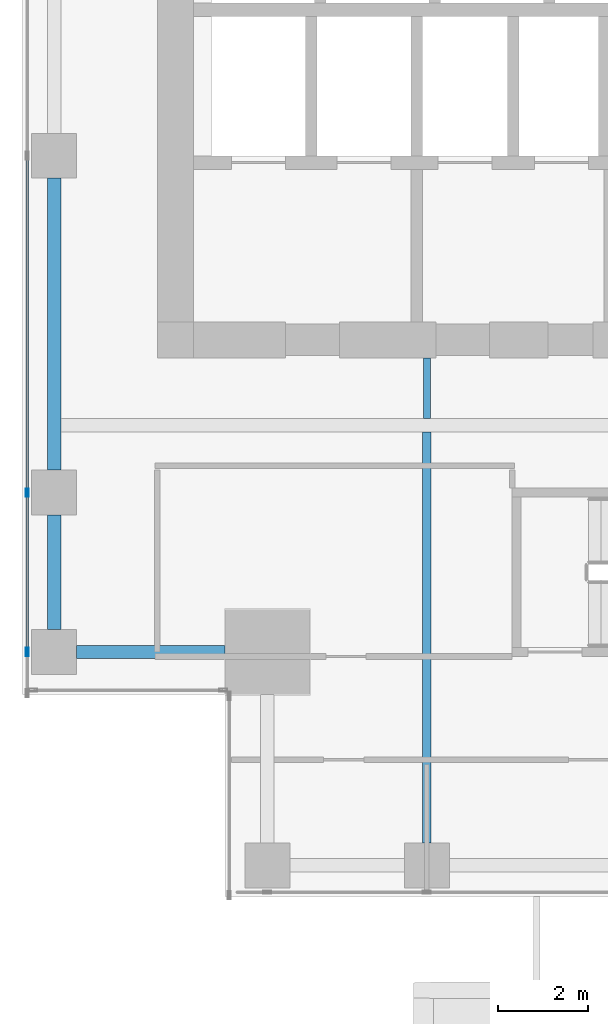
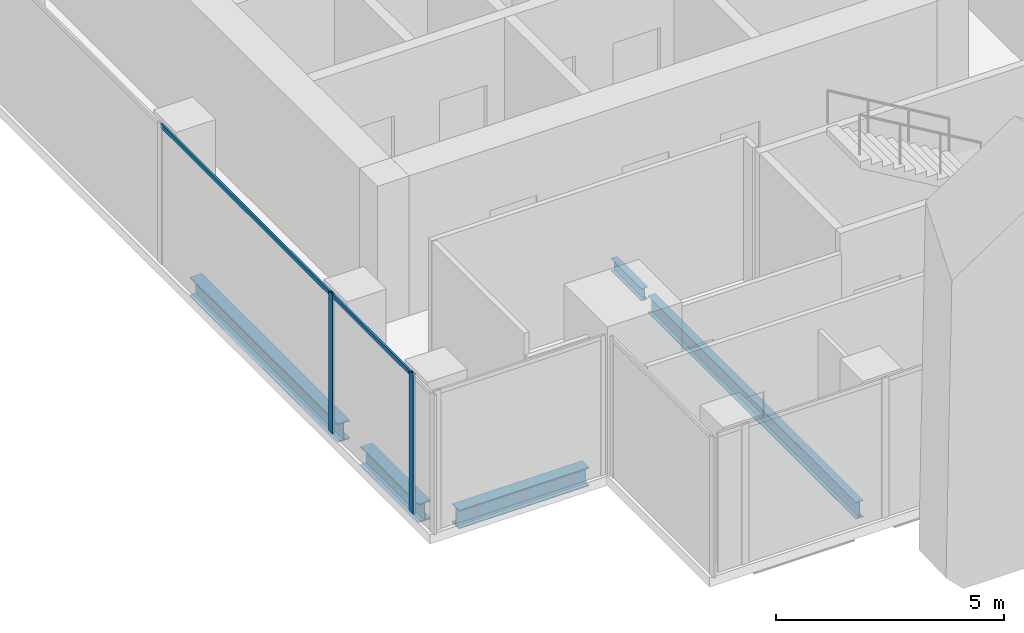
# One storey, part 4 of 38: 5 beams, 4 members, 1 element without a shape of its own.
"""IFC4 building model written with IfcOpenShell, lengths in metres."""

import ifcopenshell
import ifcopenshell.guid

model = None  # the IFC model being written
_history = None  # IfcOwnerHistory: only IFC2X3 demands one
_inside = {}  # id of a spatial element -> (the spatial element, [elements in it])
_under = {}  # id of a project, library or spatial element -> (it, [spatial elements below it])
_declared = {}  # id of a project -> (the project, [libraries it declares])
_typed = {}  # id of a type object -> (the type object, [elements of that type])
_made_of = {}  # id of a material, layer set ... -> (it, [elements and type objects made of it])


def new_model(schema):
    """Start an empty IFC model of exactly this schema.

    Asked for "IFC4X3", IfcOpenShell would pick the latest addendum, in which some entities
    have other attributes; the version numbers below select the first issue.
    IFC2X3 requires an IfcOwnerHistory on every rooted entity: one is made here for all.
    """
    global model, _history
    if schema == "IFC4X3":
        model = ifcopenshell.file(schema_version=(4, 3, 0, 0))
    else:
        model = ifcopenshell.file(schema=schema)
    _inside.clear()
    _under.clear()
    _declared.clear()
    _typed.clear()
    _made_of.clear()
    _history = None
    if model.schema == "IFC2X3":
        org = make("IfcOrganization", Name="unknown")
        user = make(
            "IfcPersonAndOrganization",
            ThePerson=make("IfcPerson", FamilyName="unknown"),
            TheOrganization=org,
        )
        app = make(
            "IfcApplication",
            ApplicationDeveloper=org,
            Version="unknown",
            ApplicationFullName="unknown",
            ApplicationIdentifier="unknown",
        )
        _history = make(
            "IfcOwnerHistory",
            OwningUser=user,
            OwningApplication=app,
            ChangeAction="ADDED",
            CreationDate=0,
        )
    return model


def make(cls, **values):
    """One entity of the class cls with the attributes given. An attribute that is None is left unset."""
    return model.create_entity(
        cls, **{name: value for name, value in values.items() if value is not None}
    )


def rooted(cls, **values):
    """An entity with a GlobalId (a new one), such as an element, a storey or a relation."""
    return make(cls, GlobalId=ifcopenshell.guid.new(), OwnerHistory=_history, **values)


def si_unit(unit_type, name, prefix=None):
    """IfcSIUnit, for example si_unit("LENGTHUNIT", "METRE", prefix="MILLI")."""
    return make("IfcSIUnit", UnitType=unit_type, Prefix=prefix, Name=name)


def assignment(units):
    """IfcUnitAssignment: the units of a project."""
    return None if units is None else make("IfcUnitAssignment", Units=units)


def point(xyz):
    """IfcCartesianPoint."""
    return None if xyz is None else make("IfcCartesianPoint", Coordinates=xyz)


def direction(xyz):
    """IfcDirection."""
    return None if xyz is None else make("IfcDirection", DirectionRatios=xyz)


def frame(location, z_axis=None, x_axis=None):
    """IfcAxis2Placement3D, a coordinate frame: its origin and axes. An axis left out is left unset."""
    return make(
        "IfcAxis2Placement3D",
        Location=point(location),
        Axis=direction(z_axis),
        RefDirection=direction(x_axis),
    )


def frame_2d(location, x_axis=None):
    """IfcAxis2Placement2D, a coordinate frame in the plane: its origin and x axis."""
    return make(
        "IfcAxis2Placement2D", Location=point(location), RefDirection=direction(x_axis)
    )


def origin():
    """The frame at (0, 0, 0) with its axes left unset."""
    return frame((0.0, 0.0, 0.0))


def origin_2d():
    """The frame at (0, 0) in the plane with its x axis left unset."""
    return frame_2d((0.0, 0.0))


def place(relative_to, where):
    """IfcLocalPlacement: puts the frame where relative to a parent placement (None: the world)."""
    return make(
        "IfcLocalPlacement", PlacementRelTo=relative_to, RelativePlacement=where
    )


def context(
    kind, dimensions, precision=None, world=None, true_north=None, identifier=None
):
    """IfcGeometricRepresentationContext, for example the 3D "Model" context."""
    return make(
        "IfcGeometricRepresentationContext",
        ContextIdentifier=identifier,
        ContextType=kind,
        CoordinateSpaceDimension=dimensions,
        Precision=precision,
        WorldCoordinateSystem=world,
        TrueNorth=true_north,
    )


def subcontext(parent, identifier, kind, view, scale=None):
    """IfcGeometricRepresentationSubContext, for example "Body" below "Model"."""
    return make(
        "IfcGeometricRepresentationSubContext",
        ContextIdentifier=identifier,
        ContextType=kind,
        ParentContext=parent,
        TargetScale=scale,
        TargetView=view,
    )


def project(units=None, contexts=None):
    """IfcProject with its units and contexts."""
    return rooted(
        "IfcProject",
        Name="project",
        RepresentationContexts=contexts,
        UnitsInContext=assignment(units),
    )


def spatial(cls, under=None, at=None, **own):
    """A site, building, storey or space (cls), placed at a placement, below another one or the project."""
    s = rooted(cls, ObjectPlacement=at, **own)
    if under is not None:
        _under.setdefault(under.id(), (under, []))[1].append(s)
    return s


def profile(cls, at=None, kind="AREA", **sizes):
    """A parametric profile (cls). Its sizes go by their IFC names, for example OverallWidth=200.0."""
    return make(cls, ProfileType=kind, Position=at, **sizes)


def hollow_rectangle(**sizes):
    """IfcRectangleHollowProfileDef."""
    return profile("IfcRectangleHollowProfileDef", **sizes)


def i_section(**sizes):
    """IfcIShapeProfileDef."""
    return profile("IfcIShapeProfileDef", **sizes)


def extrude(swept, where, along, depth):
    """IfcExtrudedAreaSolid: the profile swept, set in the frame where, extruded along a direction by depth."""
    return make(
        "IfcExtrudedAreaSolid",
        SweptArea=swept,
        Position=where,
        ExtrudedDirection=direction(along),
        Depth=depth,
    )


def shape(context_of_items, identifier, shape_type, items):
    """IfcShapeRepresentation: the items that make up one representation, for example the "Body"."""
    return make(
        "IfcShapeRepresentation",
        ContextOfItems=context_of_items,
        RepresentationIdentifier=identifier,
        RepresentationType=shape_type,
        Items=items,
    )


def source(mapping_origin, context_of_items, identifier, shape_type, items):
    """IfcRepresentationMap: a shape defined once, which mapped items show again and again."""
    return make(
        "IfcRepresentationMap",
        MappingOrigin=mapping_origin,
        MappedRepresentation=shape(context_of_items, identifier, shape_type, items),
    )


def transform(
    local_origin,
    x_axis=None,
    y_axis=None,
    z_axis=None,
    scale=None,
    scale2=None,
    scale3=None,
    uniform=True,
):
    """IfcCartesianTransformationOperator3D, or its non-uniform kind. x_axis, y_axis, z_axis: its Axis1, 2, 3."""
    if uniform:
        return make(
            "IfcCartesianTransformationOperator3D",
            Axis1=direction(x_axis),
            Axis2=direction(y_axis),
            LocalOrigin=point(local_origin),
            Scale=scale,
            Axis3=direction(z_axis),
        )
    return make(
        "IfcCartesianTransformationOperator3DnonUniform",
        Axis1=direction(x_axis),
        Axis2=direction(y_axis),
        LocalOrigin=point(local_origin),
        Scale=scale,
        Axis3=direction(z_axis),
        Scale2=scale2,
        Scale3=scale3,
    )


def mapped(mapping_source, mapping_target):
    """IfcMappedItem: shows the shape of a source again, moved by a transform."""
    return make(
        "IfcMappedItem", MappingSource=mapping_source, MappingTarget=mapping_target
    )


def material(Name=None, Category=None):
    """IfcMaterial."""
    return make("IfcMaterial", Name=Name, Category=Category)


def material_profile(
    of_material, cross_section, Name=None, Category=None, Priority=None
):
    """IfcMaterialProfile: a cross section and its material."""
    return make(
        "IfcMaterialProfile",
        Name=Name,
        Material=of_material,
        Profile=cross_section,
        Priority=Priority,
        Category=Category,
    )


def profile_set(profiles, Name=None, composite=None):
    """IfcMaterialProfileSet."""
    return make(
        "IfcMaterialProfileSet",
        Name=Name,
        MaterialProfiles=profiles,
        CompositeProfile=composite,
    )


def made_of(thing, what):
    """Note that an element or type object is made of a material, layer set ...; save() writes the relation."""
    if what is not None:
        _made_of.setdefault(what.id(), (what, []))[1].append(thing)
    return thing


def type_object(cls, material=None, **own):
    """A type object (cls), such as IfcWallType, which elements share."""
    return made_of(rooted(cls, **own), material)


def element(
    cls,
    number,
    at=None,
    inside=None,
    cuts=None,
    type_object=None,
    material=None,
    context=None,
    identifier="Body",
    shape_type=None,
    held_by="IfcProductDefinitionShape",
    body=None,
    shapes=None,
    **own,
):
    """One element of the class cls, such as IfcWall. Its Tag is "e" and its number.

    at: its placement. inside: the storey or other place that contains it. cuts: it is an
    opening in that element (IfcRelVoidsElement). A single representation is given by context,
    identifier, shape_type and body (its items); several are given by shapes. held_by: the class
    of the entity that holds the representations. save() writes the other relations.
    """
    e = rooted(cls, Tag="e%d" % number, ObjectPlacement=at, **own)
    if body is not None:
        shapes = [shape(context, identifier, shape_type, body)]
    if shapes is not None:
        e.Representation = make(held_by, Representations=shapes)
    if inside is not None:
        _inside.setdefault(inside.id(), (inside, []))[1].append(e)
    if cuts is not None:
        rooted(
            "IfcRelVoidsElement", RelatingBuildingElement=cuts, RelatedOpeningElement=e
        )
    if type_object is not None:
        _typed.setdefault(type_object.id(), (type_object, []))[1].append(e)
    return made_of(e, material)


def aggregate(whole, parts):
    """IfcRelAggregates: a whole, such as a stair, and the parts it consists of."""
    return rooted("IfcRelAggregates", RelatingObject=whole, RelatedObjects=parts)


def save(model, path):
    """Write the relations noted so far, then the file.

    IfcRelAggregates (storeys below a building ...), IfcRelContainedInSpatialStructure (elements
    in a storey), IfcRelDefinesByType, IfcRelAssociatesMaterial and IfcRelDeclares: one each for
    every whole, place, type object, material and project.
    """
    for whole, parts in _under.values():
        aggregate(whole, parts)
    for where, things in _inside.values():
        rooted(
            "IfcRelContainedInSpatialStructure",
            RelatedElements=things,
            RelatingStructure=where,
        )
    for kind, things in _typed.values():
        rooted("IfcRelDefinesByType", RelatedObjects=things, RelatingType=kind)
    for what, things in _made_of.values():
        rooted("IfcRelAssociatesMaterial", RelatedObjects=things, RelatingMaterial=what)
    for by, libraries in _declared.values():
        rooted("IfcRelDeclares", RelatingContext=by, RelatedDefinitions=libraries)
    model.write(path)


model = new_model("IFC4")

# Units and contexts
model_context = context("Model", 3, precision=1e-05, world=origin(), true_north=direction((0.0, 1.0)))
body_context = subcontext(model_context, "Body", "Model", "MODEL_VIEW")
ifc_project = project(units=[si_unit("LENGTHUNIT", "METRE"), si_unit("AREAUNIT", "SQUARE_METRE"), si_unit("VOLUMEUNIT", "CUBIC_METRE"), si_unit("PLANEANGLEUNIT", "RADIAN"), si_unit("MASSUNIT", "GRAM", prefix="KILO")], contexts=[model_context])

# Site, building, storey
site_placement = place(None, origin())
site = spatial("IfcSite", under=ifc_project, at=site_placement, CompositionType="ELEMENT")
building_placement = place(site_placement, origin())
building = spatial("IfcBuilding", under=site, at=building_placement, Name="Khomas Fold Tower", CompositionType="ELEMENT")
storey_placement = place(building_placement, frame((0.0, 0.0, 196.699951171875)))
storey = spatial("IfcBuildingStorey", under=building, at=storey_placement, Name="L43", CompositionType="ELEMENT", Elevation=196.699951171875)

# Beams
ifc_material_1 = material(Name="Steel S355", Category="steel")
ifc_material_profile_1 = material_profile(ifc_material_1, i_section(OverallWidth=0.300048828125, OverallDepth=0.5, WebThickness=0.014404296875, FlangeThickness=0.028076171875, at=origin_2d()), Name="HE 500 B")
ifc_profile_set_1 = profile_set([ifc_material_profile_1], Name="Steel S355")
beam_type_1 = type_object("IfcBeamType", Name="HE 500 B spandrel SB3", PredefinedType="SPANDREL", material=ifc_profile_set_1)
shared_shape_1 = source(origin(), body_context, "Body", "SweptSolid", [
    extrude(i_section(OverallWidth=0.300048828125, OverallDepth=0.5, WebThickness=0.014404296875, FlangeThickness=0.028076171875, at=origin_2d()), origin(), (0.0, 0.0, 1.0), 2.550048828125),
])
beam_1_placement = place(storey_placement, frame((3.699951171875, 8.949951171875, -0.5), z_axis=(0.0, 1.0, 0.0), x_axis=(-1.0, 0.0, 0.0)))
element("IfcBeam", 1, at=beam_1_placement, inside=storey, type_object=beam_type_1, Name="SB3", PredefinedType="SPANDREL", context=body_context, shape_type="MappedRepresentation", body=[
    mapped(shared_shape_1, transform((0.0, 0.0, 0.0))),
])
shared_shape_2 = source(origin(), body_context, "Body", "SweptSolid", [
    extrude(i_section(OverallWidth=0.300048828125, OverallDepth=0.5, WebThickness=0.014404296875, FlangeThickness=0.028076171875, at=origin_2d()), origin(), (0.0, 0.0, 1.0), 6.5),
])
beam_2_placement = place(storey_placement, frame((3.699951171875, 12.5, -0.5), z_axis=(0.0, 1.0, 0.0), x_axis=(-1.0, 0.0, 0.0)))
element("IfcBeam", 2, at=beam_2_placement, inside=storey, type_object=beam_type_1, Name="SB3", PredefinedType="SPANDREL", context=body_context, shape_type="MappedRepresentation", body=[
    mapped(shared_shape_2, transform((0.0, 0.0, 0.0))),
])
shared_shape_3 = source(origin(), body_context, "Body", "SweptSolid", [
    extrude(i_section(OverallWidth=0.300048828125, OverallDepth=0.5, WebThickness=0.014404296875, FlangeThickness=0.028076171875, at=origin_2d()), origin(), (0.0, 0.0, 1.0), 3.300048828125),
])
beam_3_placement = place(storey_placement, frame((4.199951171875, 8.449951171875, -0.5), z_axis=(1.0, 0.0, 0.0), x_axis=(0.0, 1.0, 0.0)))
element("IfcBeam", 3, at=beam_3_placement, inside=storey, type_object=beam_type_1, Name="SB3", PredefinedType="SPANDREL", context=body_context, shape_type="MappedRepresentation", body=[
    mapped(shared_shape_3, transform((0.0, 0.0, 0.0))),
])
ifc_material_2 = material(Name="Steel S355", Category="steel")
ifc_material_profile_2 = material_profile(ifc_material_2, i_section(OverallWidth=0.18994140625, OverallDepth=0.449951171875, WebThickness=0.009521484375, FlangeThickness=0.0146484375, at=origin_2d()), Name="IPE 450")
ifc_profile_set_2 = profile_set([ifc_material_profile_2], Name="Steel S355")
beam_type_2 = type_object("IfcBeamType", Name="IPE 450 beam JB4", PredefinedType="BEAM", material=ifc_profile_set_2)
shared_shape_4 = source(origin(), body_context, "Body", "SweptSolid", [
    extrude(i_section(OverallWidth=0.18994140625, OverallDepth=0.449951171875, WebThickness=0.009521484375, FlangeThickness=0.0146484375, at=origin_2d()), origin(), (0.0, 0.0, 1.0), 9.150146484375),
])
beam_4_placement = place(storey_placement, frame((12.0, 4.199951171875, -0.474853515625), z_axis=(0.0, 1.0, 0.0), x_axis=(-1.0, 0.0, 0.0)))
element("IfcBeam", 4, at=beam_4_placement, inside=storey, type_object=beam_type_2, Name="JB4", PredefinedType="BEAM", context=body_context, shape_type="MappedRepresentation", body=[
    mapped(shared_shape_4, transform((0.0, 0.0, 0.0))),
])
ifc_material_3 = material(Name="Steel S355", Category="steel")
ifc_material_profile_3 = material_profile(ifc_material_3, i_section(OverallWidth=0.159912109375, OverallDepth=0.330078125, WebThickness=0.007568359375, FlangeThickness=0.011474609375, at=origin_2d()), Name="IPE 330")
ifc_profile_set_3 = profile_set([ifc_material_profile_3], Name="Steel S355")
beam_type_3 = type_object("IfcBeamType", Name="IPE 330 beam JB1", PredefinedType="BEAM", material=ifc_profile_set_3)
shared_shape_5 = source(origin(), body_context, "Body", "SweptSolid", [
    extrude(i_section(OverallWidth=0.159912109375, OverallDepth=0.330078125, WebThickness=0.007568359375, FlangeThickness=0.011474609375, at=origin_2d()), origin(), (0.0, 0.0, 1.0), 1.35009765625),
])
beam_5_placement = place(storey_placement, frame((12.0, 13.64990234375, -0.4150390625), z_axis=(0.0, 1.0, 0.0), x_axis=(-1.0, 0.0, 0.0)))
element("IfcBeam", 5, at=beam_5_placement, inside=storey, type_object=beam_type_3, Name="JB1", PredefinedType="BEAM", context=body_context, shape_type="MappedRepresentation", body=[
    mapped(shared_shape_5, transform((0.0, 0.0, 0.0))),
])

# Curtain wall, members
ifc_material_4 = material(Name="Aluminium framed double glazing", Category="aluminium")
curtain_wall_type = type_object("IfcCurtainWallType", Name="SK-Unitised clear-glass wall, office floors CW2", PredefinedType="NOTDEFINED", material=ifc_material_4)
curtain_wall_placement = place(storey_placement, origin())
curtain_wall = element("IfcCurtainWall", 6, at=curtain_wall_placement, inside=storey, type_object=curtain_wall_type, Name="CW2 run L43 09-0", PredefinedType="NOTDEFINED")
ifc_material_5 = material(Name="Aluminium", Category="aluminium")
ifc_material_profile_4 = material_profile(ifc_material_5, hollow_rectangle(XDim=0.06005859375, YDim=0.179931640625, WallThickness=0.00390625, at=origin_2d()), Name="SK-Unitised clear-glass wall, office floors mullion CW2-M")
ifc_profile_set_4 = profile_set([ifc_material_profile_4], Name="Aluminium")
member_type_1 = type_object("IfcMemberType", Name="SK-Unitised clear-glass wall, office floors mullion CW2-M", PredefinedType="MULLION", material=ifc_profile_set_4)
shared_shape_6 = source(origin(), body_context, "Body", "SweptSolid", [
    extrude(hollow_rectangle(XDim=0.06005859375, YDim=0.179931640625, WallThickness=0.00390625, at=origin_2d()), origin(), (0.0, 0.0, 1.0), 3.75),
])
member_1_placement = place(storey_placement, frame((3.10009765625, 12.0, 0.0), z_axis=(0.0, 0.0, 1.0), x_axis=(1.0, 0.0, 0.0)))
member_1 = element("IfcMember", 7, at=member_1_placement, type_object=member_type_1, Name="CW2 mullion 7", PredefinedType="MULLION", context=body_context, shape_type="MappedRepresentation", body=[
    mapped(shared_shape_6, transform((0.0, 0.0, 0.0))),
])
member_2_placement = place(storey_placement, frame((3.10009765625, 8.449951171875, 0.0), z_axis=(0.0, 0.0, 1.0), x_axis=(1.0, 0.0, 0.0)))
member_2 = element("IfcMember", 8, at=member_2_placement, type_object=member_type_1, Name="CW2 mullion 8", PredefinedType="MULLION", context=body_context, shape_type="MappedRepresentation", body=[
    mapped(shared_shape_6, transform((0.0, 0.0, 0.0))),
])
ifc_material_6 = material(Name="Aluminium", Category="aluminium")
ifc_material_profile_5 = material_profile(ifc_material_6, hollow_rectangle(XDim=0.050048828125, YDim=0.110107421875, WallThickness=0.00390625, at=origin_2d()), Name="SK-Unitised clear-glass wall, office floors transom CW2-T")
ifc_profile_set_5 = profile_set([ifc_material_profile_5], Name="Aluminium")
member_type_2 = type_object("IfcMemberType", Name="SK-Unitised clear-glass wall, office floors transom CW2-T", PredefinedType="USERDEFINED", material=ifc_profile_set_5)
shared_shape_7 = source(origin(), body_context, "Body", "SweptSolid", [
    extrude(hollow_rectangle(XDim=0.050048828125, YDim=0.110107421875, WallThickness=0.00390625, at=origin_2d()), origin(), (0.0, 0.0, 1.0), 3.489990234375),
])
member_3_placement = place(storey_placement, frame((3.10009765625, 11.969970703125, 3.695068359375), z_axis=(0.0, -1.0, 0.0), x_axis=(1.0, 0.0, 0.0)))
member_3 = element("IfcMember", 9, at=member_3_placement, type_object=member_type_2, Name="CW2 transom 7", ObjectType="TRANSOM", PredefinedType="USERDEFINED", context=body_context, shape_type="MappedRepresentation", body=[
    mapped(shared_shape_7, transform((0.0, 0.0, 0.0))),
])
shared_shape_8 = source(origin(), body_context, "Body", "SweptSolid", [
    extrude(hollow_rectangle(XDim=0.050048828125, YDim=0.110107421875, WallThickness=0.00390625, at=origin_2d()), origin(), (0.0, 0.0, 1.0), 7.43994140625),
])
member_4_placement = place(storey_placement, frame((3.10009765625, 19.469970703125, 3.695068359375), z_axis=(0.0, -1.0, 0.0), x_axis=(1.0, 0.0, 0.0)))
member_4 = element("IfcMember", 10, at=member_4_placement, type_object=member_type_2, Name="CW2 transom 6", ObjectType="TRANSOM", PredefinedType="USERDEFINED", context=body_context, shape_type="MappedRepresentation", body=[
    mapped(shared_shape_8, transform((0.0, 0.0, 0.0))),
])
aggregate(curtain_wall, [member_1, member_2, member_4, member_3])

save(model, "model.ifc")
